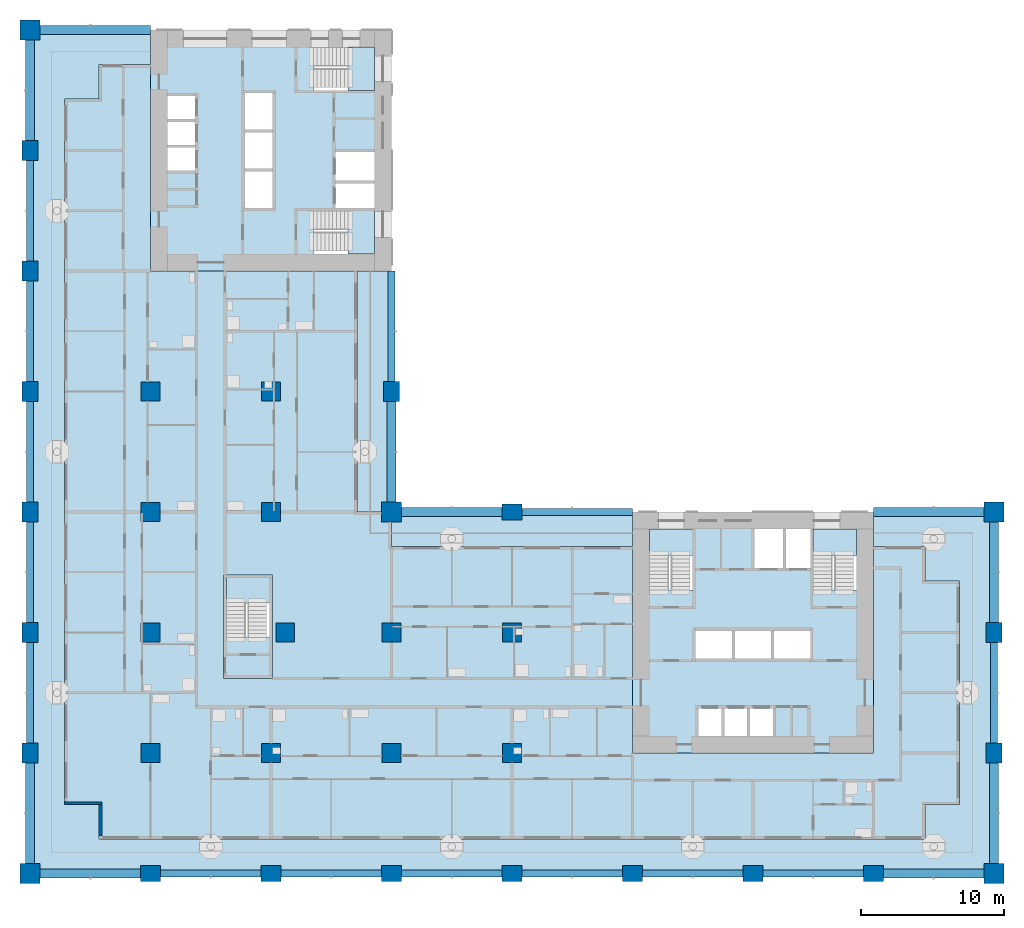
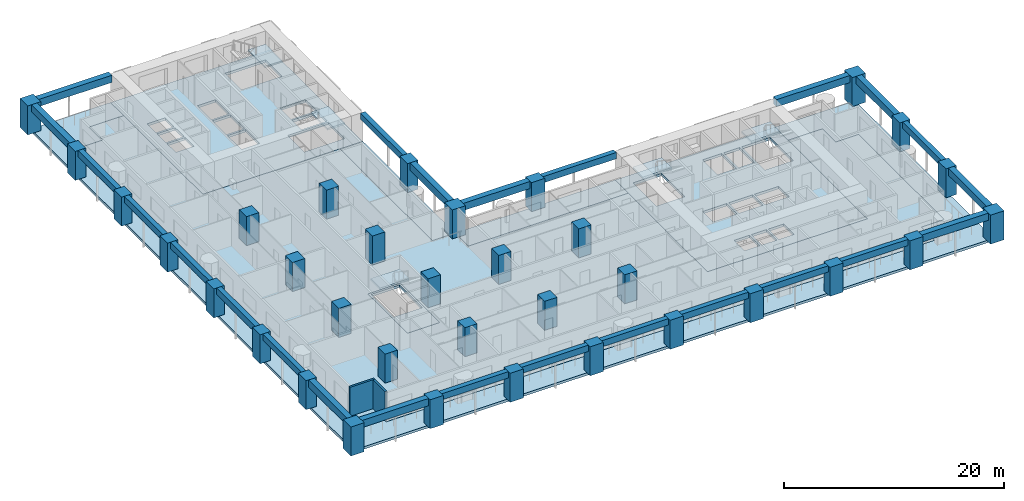
# One storey, part 1 of 20: 34 columns, 24 beams, 12 slabs, 2 walls, 5 elements without a shape of their own.
"""IFC4 building model written with IfcOpenShell, lengths in metres."""

from ifc_helpers import new_model, si_unit, direction, frame, frame_2d, origin, origin_2d, place, context, subcontext, project, spatial, polyline, rectangle, outline, extrude, material, layer, layer_set, material_profile, profile_set, type_object, element, aggregate, save


model = new_model("IFC4")

# Units and contexts
model_context = context("Model", 3, precision=1e-05, world=origin(), true_north=direction((0.0, 1.0)))
body_context = subcontext(model_context, "Body", "Model", "MODEL_VIEW")
ifc_project = project(units=[si_unit("LENGTHUNIT", "METRE"), si_unit("AREAUNIT", "SQUARE_METRE"), si_unit("VOLUMEUNIT", "CUBIC_METRE"), si_unit("PLANEANGLEUNIT", "RADIAN"), si_unit("MASSUNIT", "GRAM", prefix="KILO")], contexts=[model_context])

# Site, building, storey
site_placement = place(None, origin())
site = spatial("IfcSite", under=ifc_project, at=site_placement, CompositionType="ELEMENT")
building_placement = place(site_placement, origin())
building = spatial("IfcBuilding", under=site, at=building_placement, Name="Vermilion Gate Residences", CompositionType="ELEMENT")
storey_placement = place(building_placement, frame((0.0, 0.0, 42.699951171875)))
storey = spatial("IfcBuildingStorey", under=building, at=storey_placement, Name="L09", CompositionType="ELEMENT", Elevation=42.699951171875)

# Columns
ifc_material_1 = material(Name="Concrete C80", Category="concrete")
ifc_material_profile_1 = material_profile(ifc_material_1, rectangle(XDim=1.300048828125, YDim=1.300048828125, at=origin_2d()), Name="RC-1300x1300")
ifc_profile_set_1 = profile_set([ifc_material_profile_1], Name="Concrete C80")
column_type_1 = type_object("IfcColumnType", Name="RC COLUMN 1300 X 1300 C80", PredefinedType="COLUMN", material=ifc_profile_set_1)
for number, where, z_axis, x_axis, name in (
    (1, (8.39990234375, 8.39990234375, 0.0), (0.0, 0.0, 1.0), (1.0, 0.0, 0.0), "Column 2-B L09"),
    (2, (8.39990234375, 16.800048828125, 0.0), (0.0, 0.0, 1.0), (1.0, 0.0, 0.0), "Column 2-C L09"),
    (3, (8.39990234375, 25.199951171875, 0.0), (0.0, 0.0, 1.0), (1.0, 0.0, 0.0), "Column 2-D L09"),
    (4, (8.39990234375, 33.60009765625, 0.0), (0.0, 0.0, 1.0), (1.0, 0.0, 0.0), "Column 2-E L09"),
    (5, (16.800048828125, 8.39990234375, 0.0), (0.0, 0.0, 1.0), (1.0, 0.0, 0.0), "Column 3-B L09"),
    (6, (17.800048828125, 16.800048828125, 0.0), (0.0, 0.0, 1.0), (1.0, 0.0, 0.0), "Column 3-C L09"),
    (7, (16.800048828125, 25.199951171875, 0.0), (0.0, 0.0, 1.0), (1.0, 0.0, 0.0), "Column 3-D L09"),
    (8, (16.800048828125, 33.60009765625, 0.0), (0.0, 0.0, 1.0), (1.0, 0.0, 0.0), "Column 3-E L09"),
    (9, (25.199951171875, 8.39990234375, 0.0), (0.0, 0.0, 1.0), (1.0, 0.0, 0.0), "Column 4-B L09"),
    (10, (25.199951171875, 16.800048828125, 0.0), (0.0, 0.0, 1.0), (1.0, 0.0, 0.0), "Column 4-C L09"),
    (11, (33.60009765625, 8.39990234375, 0.0), (0.0, 0.0, 1.0), (1.0, 0.0, 0.0), "Column 5-B L09"),
    (12, (33.60009765625, 16.800048828125, 0.0), (0.0, 0.0, 1.0), (1.0, 0.0, 0.0), "Column 5-C L09"),
):
    element("IfcColumn", number, at=place(storey_placement, frame(where, z_axis=z_axis, x_axis=x_axis)), inside=storey, type_object=column_type_1, Name=name, PredefinedType="COLUMN", context=body_context, shape_type="SweptSolid", body=[
        extrude(rectangle(XDim=1.300048828125, YDim=1.300048828125, at=origin_2d()), origin(), (0.0, 0.0, 1.0), 3.219970703125),
    ])
ifc_material_2 = material(Name="Concrete C80", Category="concrete")
ifc_material_profile_2 = material_profile(ifc_material_2, rectangle(XDim=1.39990234375, YDim=1.10009765625, at=origin_2d()), Name="RC-1400x1100")
ifc_profile_set_2 = profile_set([ifc_material_profile_2], Name="Concrete C80")
column_type_2 = type_object("IfcColumnType", Name="RC COLUMN 1400 X 1100 C80", PredefinedType="COLUMN", material=ifc_profile_set_2)
for number, where, z_axis, x_axis, name in (
    (13, (0.0, 8.39990234375, 0.0), (0.0, 0.0, 1.0), (0.0, 1.0, 0.0), "Column 1-B L09"),
    (14, (0.0, 16.800048828125, 0.0), (0.0, 0.0, 1.0), (0.0, 1.0, 0.0), "Column 1-C L09"),
    (15, (0.0, 25.199951171875, 0.0), (0.0, 0.0, 1.0), (0.0, 1.0, 0.0), "Column 1-D L09"),
    (16, (0.0, 33.60009765625, 0.0), (0.0, 0.0, 1.0), (0.0, 1.0, 0.0), "Column 1-E L09"),
    (17, (0.0, 42.0, 0.0), (0.0, 0.0, 1.0), (0.0, 1.0, 0.0), "Column 1-F L09"),
    (18, (0.0, 50.39990234375, 0.0), (0.0, 0.0, 1.0), (0.0, 1.0, 0.0), "Column 1-G L09"),
    (19, (8.39990234375, 0.0, 0.0), (0.0, 0.0, 1.0), (1.0, 0.0, 0.0), "Column 2-A L09"),
    (20, (16.800048828125, 0.0, 0.0), (0.0, 0.0, 1.0), (1.0, 0.0, 0.0), "Column 3-A L09"),
    (21, (25.199951171875, 0.0, 0.0), (0.0, 0.0, 1.0), (1.0, 0.0, 0.0), "Column 4-A L09"),
    (22, (25.199951171875, 33.60009765625, 0.0), (0.0, 0.0, 1.0), (0.0, 1.0, 0.0), "Column 4-E L09"),
    (23, (33.60009765625, 0.0, 0.0), (0.0, 0.0, 1.0), (1.0, 0.0, 0.0), "Column 5-A L09"),
    (24, (33.60009765625, 25.199951171875, 0.0), (0.0, 0.0, 1.0), (1.0, 0.0, 0.0), "Column 5-D L09"),
    (25, (42.0, 0.0, 0.0), (0.0, 0.0, 1.0), (1.0, 0.0, 0.0), "Column 6-A L09"),
    (26, (50.39990234375, 0.0, 0.0), (0.0, 0.0, 1.0), (1.0, 0.0, 0.0), "Column 7-A L09"),
    (27, (58.800048828125, 0.0, 0.0), (0.0, 0.0, 1.0), (1.0, 0.0, 0.0), "Column 8-A L09"),
    (28, (67.199951171875, 8.39990234375, 0.0), (0.0, 0.0, 1.0), (0.0, 1.0, 0.0), "Column 9-B L09"),
    (29, (67.199951171875, 16.800048828125, 0.0), (0.0, 0.0, 1.0), (0.0, 1.0, 0.0), "Column 9-C L09"),
):
    element("IfcColumn", number, at=place(storey_placement, frame(where, z_axis=z_axis, x_axis=x_axis)), inside=storey, type_object=column_type_2, Name=name, PredefinedType="COLUMN", context=body_context, shape_type="SweptSolid", body=[
        extrude(rectangle(XDim=1.39990234375, YDim=1.10009765625, at=origin_2d()), origin(), (0.0, 0.0, 1.0), 3.219970703125),
    ])
ifc_material_3 = material(Name="Concrete C80", Category="concrete")
ifc_material_profile_3 = material_profile(ifc_material_3, rectangle(XDim=1.39990234375, YDim=1.39990234375, at=origin_2d()), Name="RC-1400x1400")
ifc_profile_set_3 = profile_set([ifc_material_profile_3], Name="Concrete C80")
column_type_3 = type_object("IfcColumnType", Name="RC COLUMN 1400 X 1400 C80", PredefinedType="COLUMN", material=ifc_profile_set_3)
for number, where, z_axis, x_axis, name in (
    (30, (0.0, 0.0, 0.0), (0.0, 0.0, 1.0), (1.0, 0.0, 0.0), "Column 1-A L09"),
    (31, (0.0, 58.800048828125, 0.0), (0.0, 0.0, 1.0), (1.0, 0.0, 0.0), "Column 1-H L09"),
    (32, (25.199951171875, 25.199951171875, 0.0), (0.0, 0.0, 1.0), (1.0, 0.0, 0.0), "Column 4-D L09"),
    (33, (67.199951171875, 0.0, 0.0), (0.0, 0.0, 1.0), (1.0, 0.0, 0.0), "Column 9-A L09"),
    (34, (67.199951171875, 25.199951171875, 0.0), (0.0, 0.0, 1.0), (1.0, 0.0, 0.0), "Column 9-D L09"),
):
    element("IfcColumn", number, at=place(storey_placement, frame(where, z_axis=z_axis, x_axis=x_axis)), inside=storey, type_object=column_type_3, Name=name, PredefinedType="COLUMN", context=body_context, shape_type="SweptSolid", body=[
        extrude(rectangle(XDim=1.39990234375, YDim=1.39990234375, at=origin_2d()), origin(), (0.0, 0.0, 1.0), 3.219970703125),
    ])

# Beams
ifc_material_4 = material(Name="Concrete C60 red-oxide pigmented", Category="concrete")
ifc_material_profile_4 = material_profile(ifc_material_4, rectangle(XDim=0.60009765625, YDim=0.800048828125, at=origin_2d()), Name="RC-600x800")
ifc_profile_set_4 = profile_set([ifc_material_profile_4], Name="Concrete C60 red-oxide pigmented")
beam_type_1 = type_object("IfcBeamType", Name="RC CORNER EDGE BEAM 600 X 800 C60", PredefinedType="BEAM", material=ifc_profile_set_4)
for number, where, z_axis, x_axis, name in (
    (35, (0.699951171875, 0.0, 2.820068359375), (1.0, 0.0, 0.0), (0.0, 1.0, 0.0), "Corner edge beam L09 1"),
    (36, (0.0, 0.699951171875, 2.820068359375), (0.0, 1.0, 0.0), (-1.0, 0.0, 0.0), "Corner edge beam L09 2"),
):
    element("IfcBeam", number, at=place(storey_placement, frame(where, z_axis=z_axis, x_axis=x_axis)), inside=storey, type_object=beam_type_1, Name=name, PredefinedType="BEAM", context=body_context, shape_type="SweptSolid", body=[
        extrude(rectangle(XDim=0.60009765625, YDim=0.800048828125, at=origin_2d()), origin(), (0.0, 0.0, 1.0), 7.0),
    ])
beam_1_placement = place(storey_placement, frame((0.699951171875, 58.800048828125, 2.820068359375), z_axis=(1.0, 0.0, 0.0), x_axis=(0.0, 1.0, 0.0)))
element("IfcBeam", 37, at=beam_1_placement, inside=storey, type_object=beam_type_1, Name="Corner edge beam L09 8", PredefinedType="BEAM", context=body_context, shape_type="SweptSolid", body=[
    extrude(rectangle(XDim=0.60009765625, YDim=0.800048828125, at=origin_2d()), origin(), (0.0, 0.0, 1.0), 7.699951171875),
])
for number, where, z_axis, x_axis, name in (
    (38, (0.0, 51.10009765625, 2.820068359375), (0.0, 1.0, 0.0), (-1.0, 0.0, 0.0), "Corner edge beam L09 9"),
    (39, (25.199951171875, 25.89990234375, 2.820068359375), (0.0, 1.0, 0.0), (-1.0, 0.0, 0.0), "Corner edge beam L09 12"),
    (40, (25.89990234375, 25.199951171875, 2.820068359375), (1.0, 0.0, 0.0), (0.0, 1.0, 0.0), "Corner edge beam L09 15"),
    (41, (59.5, 0.0, 2.820068359375), (1.0, 0.0, 0.0), (0.0, 1.0, 0.0), "Corner edge beam L09 20"),
    (42, (67.199951171875, 0.699951171875, 2.820068359375), (0.0, 1.0, 0.0), (-1.0, 0.0, 0.0), "Corner edge beam L09 21"),
    (43, (67.199951171875, 17.5, 2.820068359375), (0.0, 1.0, 0.0), (-1.0, 0.0, 0.0), "Corner edge beam L09 23"),
):
    element("IfcBeam", number, at=place(storey_placement, frame(where, z_axis=z_axis, x_axis=x_axis)), inside=storey, type_object=beam_type_1, Name=name, PredefinedType="BEAM", context=body_context, shape_type="SweptSolid", body=[
        extrude(rectangle(XDim=0.60009765625, YDim=0.800048828125, at=origin_2d()), origin(), (0.0, 0.0, 1.0), 7.0),
    ])
beam_2_placement = place(storey_placement, frame((58.800048828125, 25.199951171875, 2.820068359375), z_axis=(1.0, 0.0, 0.0), x_axis=(0.0, 1.0, 0.0)))
element("IfcBeam", 44, at=beam_2_placement, inside=storey, type_object=beam_type_1, Name="Corner edge beam L09 24", PredefinedType="BEAM", context=body_context, shape_type="SweptSolid", body=[
    extrude(rectangle(XDim=0.60009765625, YDim=0.800048828125, at=origin_2d()), origin(), (0.0, 0.0, 1.0), 7.699951171875),
])
ifc_material_5 = material(Name="Concrete C60 red-oxide pigmented", Category="concrete")
ifc_material_profile_5 = material_profile(ifc_material_5, rectangle(XDim=0.5, YDim=0.699951171875, at=origin_2d()), Name="RC-500x700")
ifc_profile_set_5 = profile_set([ifc_material_profile_5], Name="Concrete C60 red-oxide pigmented")
beam_type_2 = type_object("IfcBeamType", Name="RC EDGE BEAM 500 X 700 C60", PredefinedType="BEAM", material=ifc_profile_set_5)
for number, where, z_axis, x_axis, name in (
    (45, (0.0, 9.10009765625, 2.8701171875), (0.0, 1.0, 0.0), (-1.0, 0.0, 0.0), "Edge beam L09 3"),
    (46, (0.0, 17.5, 2.8701171875), (0.0, 1.0, 0.0), (-1.0, 0.0, 0.0), "Edge beam L09 4"),
    (47, (0.0, 25.89990234375, 2.8701171875), (0.0, 1.0, 0.0), (-1.0, 0.0, 0.0), "Edge beam L09 5"),
    (48, (0.0, 34.300048828125, 2.8701171875), (0.0, 1.0, 0.0), (-1.0, 0.0, 0.0), "Edge beam L09 6"),
    (49, (0.0, 42.699951171875, 2.8701171875), (0.0, 1.0, 0.0), (-1.0, 0.0, 0.0), "Edge beam L09 7"),
    (50, (9.10009765625, 0.0, 2.8701171875), (1.0, 0.0, 0.0), (0.0, 1.0, 0.0), "Edge beam L09 10"),
    (51, (17.5, 0.0, 2.8701171875), (1.0, 0.0, 0.0), (0.0, 1.0, 0.0), "Edge beam L09 11"),
):
    element("IfcBeam", number, at=place(storey_placement, frame(where, z_axis=z_axis, x_axis=x_axis)), inside=storey, type_object=beam_type_2, Name=name, PredefinedType="BEAM", context=body_context, shape_type="SweptSolid", body=[
        extrude(rectangle(XDim=0.5, YDim=0.699951171875, at=origin_2d()), origin(), (0.0, 0.0, 1.0), 7.0),
    ])
beam_3_placement = place(storey_placement, frame((25.199951171875, 34.300048828125, 2.8701171875), z_axis=(0.0, 1.0, 0.0), x_axis=(-1.0, 0.0, 0.0)))
element("IfcBeam", 52, at=beam_3_placement, inside=storey, type_object=beam_type_2, Name="Edge beam L09 13", PredefinedType="BEAM", context=body_context, shape_type="SweptSolid", body=[
    extrude(rectangle(XDim=0.5, YDim=0.699951171875, at=origin_2d()), origin(), (0.0, 0.0, 1.0), 7.699951171875),
])
for number, where, z_axis, x_axis, name in (
    (53, (25.89990234375, 0.0, 2.8701171875), (1.0, 0.0, 0.0), (0.0, 1.0, 0.0), "Edge beam L09 14"),
    (54, (34.300048828125, 0.0, 2.8701171875), (1.0, 0.0, 0.0), (0.0, 1.0, 0.0), "Edge beam L09 16"),
):
    element("IfcBeam", number, at=place(storey_placement, frame(where, z_axis=z_axis, x_axis=x_axis)), inside=storey, type_object=beam_type_2, Name=name, PredefinedType="BEAM", context=body_context, shape_type="SweptSolid", body=[
        extrude(rectangle(XDim=0.5, YDim=0.699951171875, at=origin_2d()), origin(), (0.0, 0.0, 1.0), 7.0),
    ])
beam_4_placement = place(storey_placement, frame((34.300048828125, 25.199951171875, 2.8701171875), z_axis=(1.0, 0.0, 0.0), x_axis=(0.0, 1.0, 0.0)))
element("IfcBeam", 55, at=beam_4_placement, inside=storey, type_object=beam_type_2, Name="Edge beam L09 17", PredefinedType="BEAM", context=body_context, shape_type="SweptSolid", body=[
    extrude(rectangle(XDim=0.5, YDim=0.699951171875, at=origin_2d()), origin(), (0.0, 0.0, 1.0), 7.699951171875),
])
for number, where, z_axis, x_axis, name in (
    (56, (42.699951171875, 0.0, 2.8701171875), (1.0, 0.0, 0.0), (0.0, 1.0, 0.0), "Edge beam L09 18"),
    (57, (51.10009765625, 0.0, 2.8701171875), (1.0, 0.0, 0.0), (0.0, 1.0, 0.0), "Edge beam L09 19"),
    (58, (67.199951171875, 9.10009765625, 2.8701171875), (0.0, 1.0, 0.0), (-1.0, 0.0, 0.0), "Edge beam L09 22"),
):
    element("IfcBeam", number, at=place(storey_placement, frame(where, z_axis=z_axis, x_axis=x_axis)), inside=storey, type_object=beam_type_2, Name=name, PredefinedType="BEAM", context=body_context, shape_type="SweptSolid", body=[
        extrude(rectangle(XDim=0.5, YDim=0.699951171875, at=origin_2d()), origin(), (0.0, 0.0, 1.0), 7.0),
    ])

# Slabs
ifc_material_6 = material(Name="Concrete C50", Category="concrete")
ifc_layer_1 = layer(ifc_material_6, 0.280029296875)
ifc_layer_set_1 = layer_set([ifc_layer_1], Name="RC CORE FLOOR SLAB 280 C50")
slab_type_1 = type_object("IfcSlabType", Name="RC CORE FLOOR SLAB 280 C50", PredefinedType="FLOOR", material=ifc_layer_set_1)
slab_1_placement = place(storey_placement, frame((0.0, 0.0, -0.280029296875)))
element("IfcSlab", 59, at=slab_1_placement, inside=storey, type_object=slab_type_1, Name="Core floor slab A09", PredefinedType="FLOOR", context=body_context, shape_type="SweptSolid", body=[
    extrude(outline(polyline([(42.0, 8.39990234375), (58.800048828125, 8.39990234375), (58.800048828125, 25.199951171875), (42.0, 25.199951171875), (42.0, 8.39990234375)]), holes=[polyline([(46.60009765625, 11.5), (48.199951171875, 11.5), (48.199951171875, 9.60009765625), (46.60009765625, 9.60009765625), (46.60009765625, 11.5)]), polyline([(48.39990234375, 11.5), (50.0, 11.5), (50.0, 9.60009765625), (48.39990234375, 9.60009765625), (48.39990234375, 11.5)]), polyline([(50.199951171875, 11.5), (51.800048828125, 11.5), (51.800048828125, 9.60009765625), (50.199951171875, 9.60009765625), (50.199951171875, 11.5)]), polyline([(48.933349609375, 16.89990234375), (48.933349609375, 15.0), (46.39990234375, 15.0), (46.39990234375, 16.89990234375), (48.933349609375, 16.89990234375)]), polyline([(51.666748046875, 16.89990234375), (51.666748046875, 15.0), (49.13330078125, 15.0), (49.13330078125, 16.89990234375), (51.666748046875, 16.89990234375)]), polyline([(51.86669921875, 16.89990234375), (54.39990234375, 16.89990234375), (54.39990234375, 15.0), (51.86669921875, 15.0), (51.86669921875, 16.89990234375)]), polyline([(43.199951171875, 24.0), (46.199951171875, 24.0), (46.199951171875, 19.75), (43.199951171875, 19.75), (43.199951171875, 24.0)]), polyline([(54.60009765625, 24.0), (57.60009765625, 24.0), (57.60009765625, 19.75), (54.60009765625, 19.75), (54.60009765625, 24.0)]), polyline([(52.5, 24.0), (52.5, 21.300048828125), (50.5, 21.300048828125), (50.5, 24.0), (52.5, 24.0)]), polyline([(54.39990234375, 24.0), (54.39990234375, 21.300048828125), (52.699951171875, 21.300048828125), (52.699951171875, 24.0), (54.39990234375, 24.0)])]), origin(), (0.0, 0.0, 1.0), 0.280029296875),
])
slab_2_placement = place(storey_placement, frame((0.0, 0.0, -0.280029296875)))
element("IfcSlab", 60, at=slab_2_placement, inside=storey, type_object=slab_type_1, Name="Core floor slab B09", PredefinedType="FLOOR", context=body_context, shape_type="SweptSolid", body=[
    extrude(outline(polyline([(8.39990234375, 42.0), (25.199951171875, 42.0), (25.199951171875, 58.800048828125), (8.39990234375, 58.800048828125), (8.39990234375, 42.0)]), holes=[polyline([(19.75, 46.199951171875), (24.0, 46.199951171875), (24.0, 43.199951171875), (19.75, 43.199951171875), (19.75, 46.199951171875)]), polyline([(21.300048828125, 48.10009765625), (24.0, 48.10009765625), (24.0, 46.39990234375), (21.300048828125, 46.39990234375), (21.300048828125, 48.10009765625)]), polyline([(15.0, 48.933349609375), (16.89990234375, 48.933349609375), (16.89990234375, 46.39990234375), (15.0, 46.39990234375), (15.0, 48.933349609375)]), polyline([(24.0, 50.300048828125), (24.0, 48.300048828125), (21.300048828125, 48.300048828125), (21.300048828125, 50.300048828125), (24.0, 50.300048828125)]), polyline([(11.5, 50.60009765625), (11.5, 49.0), (9.60009765625, 49.0), (9.60009765625, 50.60009765625), (11.5, 50.60009765625)]), polyline([(15.0, 51.666748046875), (16.89990234375, 51.666748046875), (16.89990234375, 49.13330078125), (15.0, 49.13330078125), (15.0, 51.666748046875)]), polyline([(9.60009765625, 52.39990234375), (11.5, 52.39990234375), (11.5, 50.800048828125), (9.60009765625, 50.800048828125), (9.60009765625, 52.39990234375)]), polyline([(15.0, 54.39990234375), (16.89990234375, 54.39990234375), (16.89990234375, 51.86669921875), (15.0, 51.86669921875), (15.0, 54.39990234375)]), polyline([(11.5, 54.199951171875), (11.5, 52.60009765625), (9.60009765625, 52.60009765625), (9.60009765625, 54.199951171875), (11.5, 54.199951171875)]), polyline([(24.0, 57.60009765625), (24.0, 54.60009765625), (19.75, 54.60009765625), (19.75, 57.60009765625), (24.0, 57.60009765625)])]), origin(), (0.0, 0.0, 1.0), 0.280029296875),
])
slab_3_placement = place(storey_placement, frame((0.0, 0.0, -0.280029296875)))
element("IfcSlab", 61, at=slab_3_placement, inside=storey, type_object=slab_type_1, Name="Apex stair floor slab 09", PredefinedType="FLOOR", context=body_context, shape_type="SweptSolid", body=[
    extrude(outline(polyline([(13.5, 13.60009765625), (16.89990234375, 13.60009765625), (16.89990234375, 20.800048828125), (13.5, 20.800048828125), (13.5, 13.60009765625)]), holes=[polyline([(16.699951171875, 20.60009765625), (16.699951171875, 16.449951171875), (13.699951171875, 16.449951171875), (13.699951171875, 20.60009765625), (16.699951171875, 20.60009765625)])]), origin(), (0.0, 0.0, 1.0), 0.280029296875),
])
ifc_material_7 = material(Name="Concrete C50", Category="concrete")
ifc_layer_2 = layer(ifc_material_7, 0.280029296875)
ifc_layer_set_2 = layer_set([ifc_layer_2], Name="RC FLAT PLATE 280 C50")
slab_type_2 = type_object("IfcSlabType", Name="RC FLAT PLATE 280 C50", PredefinedType="FLOOR", material=ifc_layer_set_2)
slab_4_placement = place(storey_placement, frame((0.0, 0.0, -0.280029296875)))
element("IfcSlab", 62, at=slab_4_placement, inside=storey, type_object=slab_type_2, Name="Floor slab L09", PredefinedType="FLOOR", context=body_context, shape_type="SweptSolid", body=[
    extrude(outline(polyline([(22.800048828125, 25.199951171875), (22.800048828125, 42.0), (8.39990234375, 42.0), (8.39990234375, 56.39990234375), (4.800048828125, 56.39990234375), (4.800048828125, 54.0), (2.39990234375, 54.0), (2.39990234375, 4.800048828125), (4.800048828125, 4.800048828125), (4.800048828125, 2.39990234375), (62.39990234375, 2.39990234375), (62.39990234375, 4.800048828125), (64.800048828125, 4.800048828125), (64.800048828125, 20.39990234375), (62.39990234375, 20.39990234375), (62.39990234375, 22.800048828125), (58.800048828125, 22.800048828125), (58.800048828125, 8.39990234375), (42.0, 8.39990234375), (42.0, 22.800048828125), (25.199951171875, 22.800048828125), (25.199951171875, 25.199951171875), (22.800048828125, 25.199951171875)]), holes=[polyline([(13.5, 13.60009765625), (13.5, 20.800048828125), (16.89990234375, 20.800048828125), (16.89990234375, 13.60009765625), (13.5, 13.60009765625)])]), origin(), (0.0, 0.0, 1.0), 0.280029296875),
])
ifc_material_8 = material(Name="Concrete C50 red-oxide pigmented", Category="concrete")
ifc_layer_3 = layer(ifc_material_8, 0.280029296875)
ifc_layer_set_3 = layer_set([ifc_layer_3], Name="RC LOGGIA SLAB 280 C50")
slab_type_3 = type_object("IfcSlabType", Name="RC LOGGIA SLAB 280 C50", PredefinedType="FLOOR", material=ifc_layer_set_3)
slab_5_placement = place(storey_placement, frame((0.0, 0.0, -0.280029296875)))
element("IfcSlab", 63, at=slab_5_placement, inside=storey, type_object=slab_type_3, Name="Loggia slab L09", PredefinedType="FLOOR", context=body_context, shape_type="SweptSolid", body=[
    extrude(outline(polyline([(0.0, 58.800048828125), (0.0, 0.0), (67.199951171875, 0.0), (67.199951171875, 25.199951171875), (58.800048828125, 25.199951171875), (58.800048828125, 22.800048828125), (62.39990234375, 22.800048828125), (62.39990234375, 20.39990234375), (64.800048828125, 20.39990234375), (64.800048828125, 4.800048828125), (62.39990234375, 4.800048828125), (62.39990234375, 2.39990234375), (4.800048828125, 2.39990234375), (4.800048828125, 4.800048828125), (2.39990234375, 4.800048828125), (2.39990234375, 54.0), (4.800048828125, 54.0), (4.800048828125, 56.39990234375), (8.39990234375, 56.39990234375), (8.39990234375, 58.800048828125), (0.0, 58.800048828125)])), origin(), (0.0, 0.0, 1.0), 0.280029296875),
])
slab_6_placement = place(storey_placement, frame((0.0, 0.0, -0.280029296875)))
element("IfcSlab", 64, at=slab_6_placement, inside=storey, type_object=slab_type_3, Name="Loggia slab L09", PredefinedType="FLOOR", context=body_context, shape_type="SweptSolid", body=[
    extrude(outline(polyline([(25.199951171875, 22.800048828125), (42.0, 22.800048828125), (42.0, 25.199951171875), (25.199951171875, 25.199951171875), (25.199951171875, 22.800048828125)])), origin(), (0.0, 0.0, 1.0), 0.280029296875),
])
slab_7_placement = place(storey_placement, frame((0.0, 0.0, -0.280029296875)))
element("IfcSlab", 65, at=slab_7_placement, inside=storey, type_object=slab_type_3, Name="Loggia slab L09", PredefinedType="FLOOR", context=body_context, shape_type="SweptSolid", body=[
    extrude(outline(polyline([(22.800048828125, 42.0), (22.800048828125, 25.199951171875), (25.199951171875, 25.199951171875), (25.199951171875, 42.0), (22.800048828125, 42.0)])), origin(), (0.0, 0.0, 1.0), 0.280029296875),
])

# Stair, slab
ifc_material_9 = material(Name="Concrete C50", Category="concrete")
stair_type = type_object("IfcStairType", Name="SPECIAL ESCAPE STAIR 1300", PredefinedType="HALF_TURN_STAIR", material=ifc_material_9)
stair_1_placement = place(storey_placement, origin())
stair_1 = element("IfcStair", 66, at=stair_1_placement, inside=storey, type_object=stair_type, Name="Special escape stair STA1-09", PredefinedType="HALF_TURN_STAIR")
ifc_material_10 = material(Name="Concrete C50", Category="concrete")
ifc_layer_4 = layer(ifc_material_10, 0.199951171875)
ifc_layer_set_4 = layer_set([ifc_layer_4], Name="STAIR LANDING 200 C50")
slab_type_4 = type_object("IfcSlabType", Name="STAIR LANDING 200 C50", PredefinedType="LANDING", material=ifc_layer_set_4)
slab_8_placement = place(storey_placement, frame((0.0, 0.0, 1.550048828125)))
slab_8 = element("IfcSlab", 67, at=slab_8_placement, type_object=slab_type_4, Name="STA1-09 landing 1", PredefinedType="LANDING", context=body_context, shape_type="SweptSolid", body=[
    extrude(outline(polyline([(46.219970703125, 22.179931640625), (46.219970703125, 24.02001953125), (43.179931640625, 24.02001953125), (43.179931640625, 22.179931640625), (46.219970703125, 22.179931640625)])), origin(), (0.0, 0.0, 1.0), 0.199951171875),
])
aggregate(stair_1, [slab_8])

stair_2_placement = place(storey_placement, origin())
stair_2 = element("IfcStair", 68, at=stair_2_placement, inside=storey, type_object=stair_type, Name="Special escape stair STA2-09", PredefinedType="HALF_TURN_STAIR")
slab_9_placement = place(storey_placement, frame((0.0, 0.0, 1.550048828125)))
slab_9 = element("IfcSlab", 69, at=slab_9_placement, type_object=slab_type_4, Name="STA2-09 landing 1", PredefinedType="LANDING", context=body_context, shape_type="SweptSolid", body=[
    extrude(outline(polyline([(57.6201171875, 22.179931640625), (57.6201171875, 24.02001953125), (54.580078125, 24.02001953125), (54.580078125, 22.179931640625), (57.6201171875, 22.179931640625)])), origin(), (0.0, 0.0, 1.0), 0.199951171875),
])
aggregate(stair_2, [slab_9])

stair_3_placement = place(storey_placement, origin())
stair_3 = element("IfcStair", 70, at=stair_3_placement, inside=storey, type_object=stair_type, Name="Special escape stair STB1-09", PredefinedType="HALF_TURN_STAIR")
slab_10_placement = place(storey_placement, frame((0.0, 0.0, 1.550048828125)))
slab_10 = element("IfcSlab", 71, at=slab_10_placement, type_object=slab_type_4, Name="STB1-09 landing 1", PredefinedType="LANDING", context=body_context, shape_type="SweptSolid", body=[
    extrude(outline(polyline([(24.02001953125, 54.580078125), (24.02001953125, 57.6201171875), (22.179931640625, 57.6201171875), (22.179931640625, 54.580078125), (24.02001953125, 54.580078125)])), origin(), (0.0, 0.0, 1.0), 0.199951171875),
])
aggregate(stair_3, [slab_10])

stair_4_placement = place(storey_placement, origin())
stair_4 = element("IfcStair", 72, at=stair_4_placement, inside=storey, type_object=stair_type, Name="Special escape stair STB2-09", PredefinedType="HALF_TURN_STAIR")
slab_11_placement = place(storey_placement, frame((0.0, 0.0, 1.550048828125)))
slab_11 = element("IfcSlab", 73, at=slab_11_placement, type_object=slab_type_4, Name="STB2-09 landing 1", PredefinedType="LANDING", context=body_context, shape_type="SweptSolid", body=[
    extrude(outline(polyline([(24.02001953125, 43.179931640625), (24.02001953125, 46.219970703125), (22.179931640625, 46.219970703125), (22.179931640625, 43.179931640625), (24.02001953125, 43.179931640625)])), origin(), (0.0, 0.0, 1.0), 0.199951171875),
])
aggregate(stair_4, [slab_11])

stair_5_placement = place(storey_placement, origin())
stair_5 = element("IfcStair", 74, at=stair_5_placement, inside=storey, type_object=stair_type, Name="Special escape stair STC1-09", PredefinedType="HALF_TURN_STAIR")
slab_12_placement = place(storey_placement, frame((0.0, 0.0, 1.550048828125)))
slab_12 = element("IfcSlab", 75, at=slab_12_placement, type_object=slab_type_4, Name="STC1-09 landing 1", PredefinedType="LANDING", context=body_context, shape_type="SweptSolid", body=[
    extrude(outline(polyline([(16.719970703125, 18.8798828125), (16.719970703125, 20.6201171875), (13.679931640625, 20.6201171875), (13.679931640625, 18.8798828125), (16.719970703125, 18.8798828125)])), origin(), (0.0, 0.0, 1.0), 0.199951171875),
])
aggregate(stair_5, [slab_12])

# Walls
ifc_material_11 = material(Name="Insulated steel stud wall with terracotta rainscreen", Category="masonry")
ifc_layer_5 = layer(ifc_material_11, 0.199951171875)
ifc_layer_set_5 = layer_set([ifc_layer_5], Name="EXTERNAL WALL 200 TERRACOTTA RAINSCREEN")
wall_type = type_object("IfcWallType", Name="EXTERNAL WALL 200 TERRACOTTA RAINSCREEN", PredefinedType="SOLIDWALL", material=ifc_layer_set_5)
wall_1_placement = place(storey_placement, frame((2.39990234375, 4.89990234375, 0.0), z_axis=(0.0, 0.0, 1.0), x_axis=(1.0, 0.0, 0.0)))
element("IfcWall", 76, at=wall_1_placement, inside=storey, type_object=wall_type, Name="External wall", PredefinedType="SOLIDWALL", context=body_context, shape_type="SweptSolid", body=[
    extrude(rectangle(XDim=2.60009765625, YDim=0.199951171875, at=frame_2d((1.300048828125, 0.0))), origin(), (0.0, 0.0, 1.0), 3.219970703125),
])
wall_2_placement = place(storey_placement, frame((4.89990234375, 4.800048828125, 0.0), z_axis=(0.0, 0.0, 1.0), x_axis=(0.0, -1.0, 0.0)))
element("IfcWall", 77, at=wall_2_placement, inside=storey, type_object=wall_type, Name="External wall", PredefinedType="SOLIDWALL", context=body_context, shape_type="SweptSolid", body=[
    extrude(rectangle(XDim=2.199951171875, YDim=0.199951171875, at=frame_2d((1.10009765625, 0.0))), origin(), (0.0, 0.0, 1.0), 3.219970703125),
])

save(model, "model.ifc")
